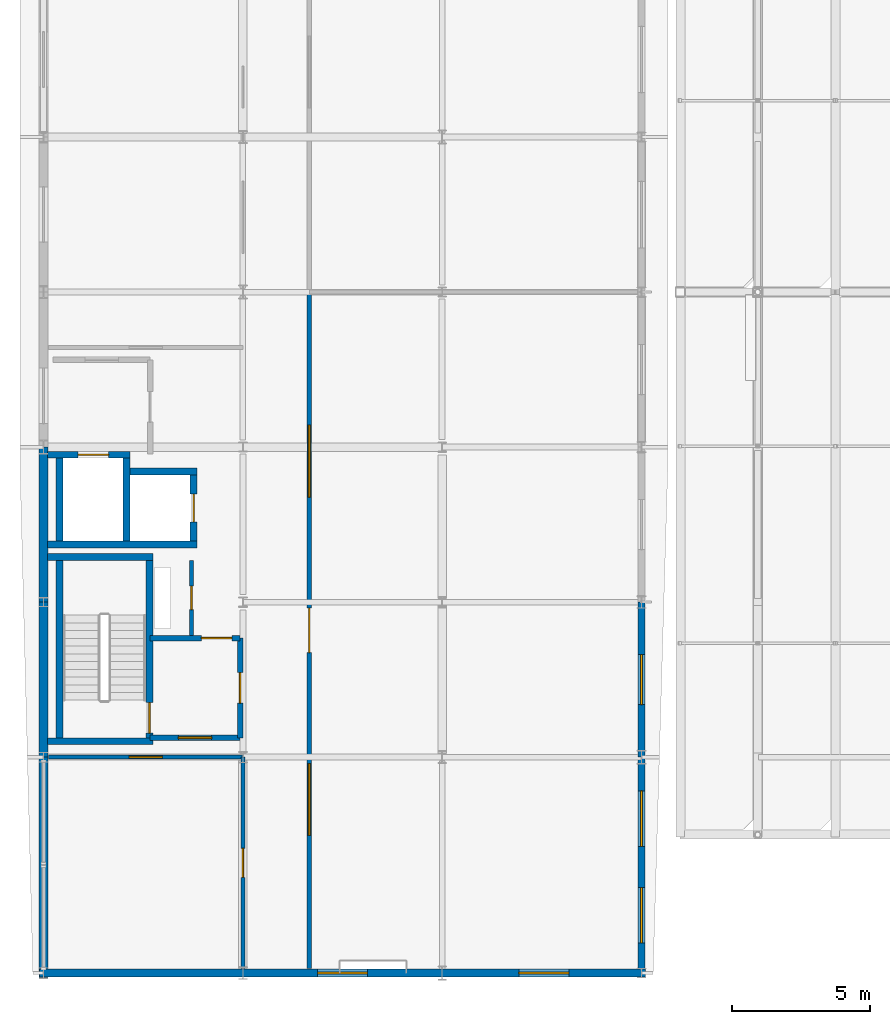
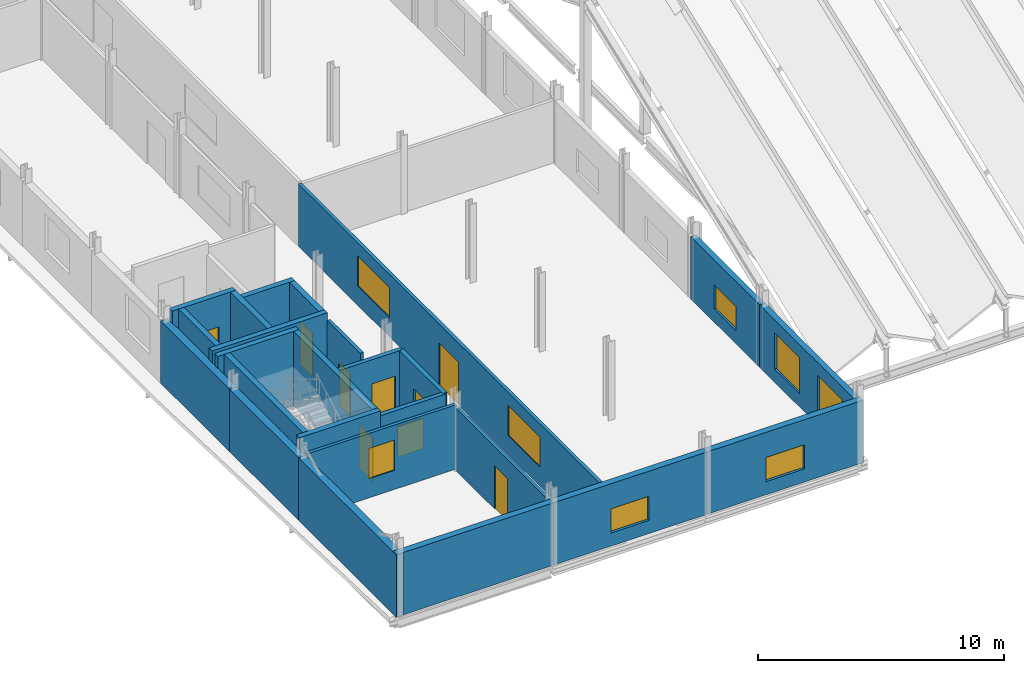
# One storey, part 39 of 49: 25 walls, 9 windows, 8 doors, 17 openings.
"""IFC4 building model written with IfcOpenShell, lengths in metres."""

from ifc_helpers import new_model, si_unit, direction, frame, frame_2d, origin, place, context, subcontext, project, spatial, rectangle, extrude, material, layer, layer_set, type_object, element, fill, save


model = new_model("IFC4")

# Units and contexts
model_context = context("Model", 3, precision=1e-05, world=origin(), true_north=direction((0.0, 1.0)))
body_context = subcontext(model_context, "Body", "Model", "MODEL_VIEW")
ifc_project = project(units=[si_unit("LENGTHUNIT", "METRE"), si_unit("AREAUNIT", "SQUARE_METRE"), si_unit("VOLUMEUNIT", "CUBIC_METRE"), si_unit("PLANEANGLEUNIT", "RADIAN"), si_unit("MASSUNIT", "GRAM", prefix="KILO")], contexts=[model_context])

# Site, building, storey
site_placement = place(None, origin())
site = spatial("IfcSite", under=ifc_project, at=site_placement, CompositionType="ELEMENT")
building_placement = place(site_placement, origin())
building = spatial("IfcBuilding", under=site, at=building_placement, Name="Vinh Khe Railworks Police Headquarters", CompositionType="ELEMENT")
storey_placement = place(building_placement, frame((0.0, 0.0, 17.10009765625)))
storey = spatial("IfcBuildingStorey", under=building, at=storey_placement, Name="L04", CompositionType="ELEMENT", Elevation=17.10009765625)

# Walls
ifc_material_1 = material(Name="Concrete C40/50 (B40)", Category="concrete")
ifc_layer_1 = layer(ifc_material_1, 0.25)
ifc_layer_set_1 = layer_set([ifc_layer_1], Name="Concrete C40/50 (B40)")
wall_type_1 = type_object("IfcWallType", Name="Core Shear Wall 250", PredefinedType="SHEAR", material=ifc_layer_set_1)
for number, where, z_axis, x_axis, name in (
    (1, (0.75, 25.77490234375, 0.0), (0.0, 0.0, 1.0), (1.0, 0.0, 0.0), "Core C1 STAIR-S Shear Wall (L04)"),
    (2, (0.75, 32.425048828125, 0.0), (0.0, 0.0, 1.0), (1.0, 0.0, 0.0), "Core C1 STAIR-N Shear Wall (L04)"),
):
    element("IfcWall", number, at=place(storey_placement, frame(where, z_axis=z_axis, x_axis=x_axis)), inside=storey, type_object=wall_type_1, Name=name, PredefinedType="SHEAR", context=body_context, shape_type="SweptSolid", body=[
        extrude(rectangle(XDim=3.800048828125, YDim=0.25, at=frame_2d((1.89990234375, 0.0))), origin(), (0.0, 0.0, 1.0), 3.699951171875),
    ])
wall_1_placement = place(storey_placement, frame((1.175048828125, 25.89990234375, 0.0), z_axis=(0.0, 0.0, 1.0), x_axis=(0.0, 1.0, 0.0)))
element("IfcWall", 3, at=wall_1_placement, inside=storey, type_object=wall_type_1, Name="Core C1 STAIR-W Shear Wall (L04)", PredefinedType="SHEAR", context=body_context, shape_type="SweptSolid", body=[
    extrude(rectangle(XDim=6.400146484375, YDim=0.25, at=frame_2d((3.2001953125, 0.0))), origin(), (0.0, 0.0, 1.0), 3.699951171875),
])

# Wall, opening, door
wall_2_placement = place(storey_placement, frame((4.425048828125, 25.89990234375, 0.0), z_axis=(0.0, 0.0, 1.0), x_axis=(0.0, 1.0, 0.0)))
wall_2 = element("IfcWall", 4, at=wall_2_placement, inside=storey, type_object=wall_type_1, Name="Core C1 STAIR-E Shear Wall (L04)", PredefinedType="SHEAR", context=body_context, shape_type="SweptSolid", body=[
    extrude(rectangle(XDim=6.400146484375, YDim=0.25, at=frame_2d((3.2001953125, 0.0))), origin(), (0.0, 0.0, 1.0), 3.699951171875),
])
opening_1_placement = place(wall_2_placement, frame((0.169921875, 0.0, 0.0)))
opening_1 = element("IfcOpeningElement", 5, at=opening_1_placement, cuts=wall_2, Name="Opening FD-01", PredefinedType="OPENING", context=body_context, shape_type="SweptSolid", body=[
    extrude(rectangle(XDim=1.10009765625, YDim=2.14990234375, at=frame_2d((0.550048828125, 1.074951171875))), frame((0.0, 0.139892578125, 0.0), z_axis=(0.0, -1.0, 0.0), x_axis=(1.0, 0.0, 0.0)), (0.0, 0.0, 1.0), 0.27978515625),
])
ifc_material_2 = material(Name="Painted galvanised steel", Category="steel")
door_type_1 = type_object("IfcDoorType", Name="FD-1100x2150", OperationType="NOTDEFINED", PredefinedType="DOOR", material=ifc_material_2)
door_1_placement = place(opening_1_placement, frame((1.10009765625, 0.0, 0.0), z_axis=(0.0, 0.0, 1.0), x_axis=(-1.0, 0.0, 0.0)))
door_1 = element("IfcDoor", 6, at=door_1_placement, inside=storey, type_object=door_type_1, Name="Escape Stair ST-01 Fire Door L04", OperationType="SINGLE_SWING_LEFT", OverallHeight=2.14990234375, OverallWidth=1.10009765625, PredefinedType="DOOR", context=body_context, shape_type="SweptSolid", body=[
    extrude(rectangle(XDim=1.10009765625, YDim=2.14990234375, at=frame_2d((0.550048828125, 1.074951171875))), frame((0.0, 0.02490234375, 0.0), z_axis=(0.0, -1.0, 0.0), x_axis=(1.0, 0.0, 0.0)), (0.0, 0.0, 1.0), 0.050048828125),
])
fill(opening_1, door_1)

# Wall
wall_3_placement = place(storey_placement, frame((0.75, 32.875, 0.0), z_axis=(0.0, 0.0, 1.0), x_axis=(1.0, 0.0, 0.0)))
element("IfcWall", 7, at=wall_3_placement, inside=storey, type_object=wall_type_1, Name="Core C1 FL-S Lift Shaft Wall (L04)", PredefinedType="SHEAR", context=body_context, shape_type="SweptSolid", body=[
    extrude(rectangle(XDim=5.39990234375, YDim=0.25, at=frame_2d((2.699951171875, 0.0))), origin(), (0.0, 0.0, 1.0), 3.699951171875),
])

# Wall, opening, door
wall_4_placement = place(storey_placement, frame((0.75, 36.125, 0.0), z_axis=(0.0, 0.0, 1.0), x_axis=(1.0, 0.0, 0.0)))
wall_4 = element("IfcWall", 8, at=wall_4_placement, inside=storey, type_object=wall_type_1, Name="Core C1 FL-N Lift Shaft Wall (L04)", PredefinedType="SHEAR", context=body_context, shape_type="SweptSolid", body=[
    extrude(rectangle(XDim=2.97509765625, YDim=0.25, at=frame_2d((1.487548828125, 0.0))), origin(), (0.0, 0.0, 1.0), 3.699951171875),
])
opening_2_placement = place(wall_4_placement, frame((1.10009765625, 0.0, 0.0)))
opening_2 = element("IfcOpeningElement", 9, at=opening_2_placement, cuts=wall_4, Name="Opening LD-01", PredefinedType="OPENING", context=body_context, shape_type="SweptSolid", body=[
    extrude(rectangle(XDim=1.10009765625, YDim=2.14990234375, at=frame_2d((0.550048828125, 1.074951171875))), frame((0.0, 0.139892578125, 0.0), z_axis=(0.0, -1.0, 0.0), x_axis=(1.0, 0.0, 0.0)), (0.0, 0.0, 1.0), 0.27978515625),
])
door_type_2 = type_object("IfcDoorType", Name="LD-FF-1100", OperationType="SLIDING_TO_LEFT", PredefinedType="DOOR", material=ifc_material_2)
door_2_placement = place(opening_2_placement, origin())
door_2 = element("IfcDoor", 10, at=door_2_placement, inside=storey, type_object=door_type_2, Name="Firefighting Lift Landing Door FL-01 L04", OperationType="SLIDING_TO_LEFT", OverallHeight=2.14990234375, OverallWidth=1.10009765625, PredefinedType="DOOR", context=body_context, shape_type="SweptSolid", body=[
    extrude(rectangle(XDim=1.10009765625, YDim=2.14990234375, at=frame_2d((0.550048828125, 1.074951171875))), frame((0.0, 0.02490234375, 0.0), z_axis=(0.0, -1.0, 0.0), x_axis=(1.0, 0.0, 0.0)), (0.0, 0.0, 1.0), 0.050048828125),
])
fill(opening_2, door_2)

# Walls
wall_5_placement = place(storey_placement, frame((3.72509765625, 35.52490234375, 0.0), z_axis=(0.0, 0.0, 1.0), x_axis=(1.0, 0.0, 0.0)))
element("IfcWall", 11, at=wall_5_placement, inside=storey, type_object=wall_type_1, Name="Core C1 PL-N Lift Shaft Wall (L04)", PredefinedType="SHEAR", context=body_context, shape_type="SweptSolid", body=[
    extrude(rectangle(XDim=2.4248046875, YDim=0.25, at=frame_2d((1.21240234375, 0.0))), origin(), (0.0, 0.0, 1.0), 3.699951171875),
])
for number, where, z_axis, x_axis, name in (
    (12, (1.175048828125, 33.0, 0.0), (0.0, 0.0, 1.0), (0.0, 1.0, 0.0), "Core C1 FL-W Lift Shaft Wall (L04)"),
    (13, (3.60009765625, 33.0, 0.0), (0.0, 0.0, 1.0), (0.0, 1.0, 0.0), "Core C1 LIFT-DIV Lift Shaft Wall (L04)"),
):
    element("IfcWall", number, at=place(storey_placement, frame(where, z_axis=z_axis, x_axis=x_axis)), inside=storey, type_object=wall_type_1, Name=name, PredefinedType="SHEAR", context=body_context, shape_type="SweptSolid", body=[
        extrude(rectangle(XDim=3.0, YDim=0.25, at=frame_2d((1.5, 0.0))), origin(), (0.0, 0.0, 1.0), 3.699951171875),
    ])

# Wall, opening, door
wall_6_placement = place(storey_placement, frame((6.02490234375, 33.0, 0.0), z_axis=(0.0, 0.0, 1.0), x_axis=(0.0, 1.0, 0.0)))
wall_6 = element("IfcWall", 14, at=wall_6_placement, inside=storey, type_object=wall_type_1, Name="Core C1 PL-E Lift Shaft Wall (L04)", PredefinedType="SHEAR", context=body_context, shape_type="SweptSolid", body=[
    extrude(rectangle(XDim=2.39990234375, YDim=0.25, at=frame_2d((1.199951171875, 0.0))), origin(), (0.0, 0.0, 1.0), 3.699951171875),
])
opening_3_placement = place(wall_6_placement, frame((0.699951171875, 0.0, 0.0)))
opening_3 = element("IfcOpeningElement", 15, at=opening_3_placement, cuts=wall_6, Name="Opening LD-02", PredefinedType="OPENING", context=body_context, shape_type="SweptSolid", body=[
    extrude(rectangle(XDim=1.0, YDim=2.14990234375, at=frame_2d((0.5, 1.074951171875))), frame((0.0, 0.139892578125, 0.0), z_axis=(0.0, -1.0, 0.0), x_axis=(1.0, 0.0, 0.0)), (0.0, 0.0, 1.0), 0.27978515625),
])
door_type_3 = type_object("IfcDoorType", Name="LD-PAX-1000", OperationType="SLIDING_TO_RIGHT", PredefinedType="DOOR", material=ifc_material_2)
door_3_placement = place(opening_3_placement, frame((1.0, 0.0, 0.0), z_axis=(0.0, 0.0, 1.0), x_axis=(-1.0, 0.0, 0.0)))
door_3 = element("IfcDoor", 16, at=door_3_placement, inside=storey, type_object=door_type_3, Name="Passenger Lift Landing Door PL-01 L04", OperationType="SLIDING_TO_RIGHT", OverallHeight=2.14990234375, OverallWidth=1.0, PredefinedType="DOOR", context=body_context, shape_type="SweptSolid", body=[
    extrude(rectangle(XDim=1.0, YDim=2.14990234375, at=frame_2d((0.5, 1.074951171875))), frame((0.0, 0.02490234375, 0.0), z_axis=(0.0, -1.0, 0.0), x_axis=(1.0, 0.0, 0.0)), (0.0, 0.0, 1.0), 0.050048828125),
])
fill(opening_3, door_3)

# Wall, openings, windows
ifc_material_3 = material(Name="Clay brickwork", Category="masonry")
ifc_layer_2 = layer(ifc_material_3, 0.260009765625)
ifc_layer_set_2 = layer_set([ifc_layer_2], Name="Clay brickwork")
wall_type_2 = type_object("IfcWallType", Name="EW-BRK-260", PredefinedType="SOLIDWALL", material=ifc_layer_set_2)
wall_7_placement = place(storey_placement, frame((22.199951171875, 17.27001953125, 0.0), z_axis=(0.0, 0.0, 1.0), x_axis=(0.0, 1.0, 0.0)))
wall_7 = element("IfcWall", 17, at=wall_7_placement, inside=storey, type_object=wall_type_2, Name="Exterior Brick Wall EW-L04-V5E-01", PredefinedType="SOLIDWALL", context=body_context, shape_type="SweptSolid", body=[
    extrude(rectangle(XDim=7.929931640625, YDim=0.260009765625, at=frame_2d((3.96484375, 0.0))), origin(), (0.0, 0.0, 1.0), 3.094970703125),
])
opening_4_placement = place(wall_7_placement, frame((1.220458984375, 0.0, 0.64990234375)))
opening_4 = element("IfcOpeningElement", 18, at=opening_4_placement, cuts=wall_7, Name="Opening WN-04", PredefinedType="OPENING", context=body_context, shape_type="SweptSolid", body=[
    extrude(rectangle(XDim=2.0, YDim=1.800048828125, at=frame_2d((1.0, 0.89990234375))), frame((0.0, 0.14501953125, 0.0), z_axis=(0.0, -1.0, 0.0), x_axis=(1.0, 0.0, 0.0)), (0.0, 0.0, 1.0), 0.289794921875),
])
opening_5_placement = place(wall_7_placement, frame((4.709716796875, 0.0, 0.64990234375)))
opening_5 = element("IfcOpeningElement", 19, at=opening_5_placement, cuts=wall_7, Name="Opening WN-04", PredefinedType="OPENING", context=body_context, shape_type="SweptSolid", body=[
    extrude(rectangle(XDim=2.0, YDim=1.800048828125, at=frame_2d((1.0, 0.89990234375))), frame((0.0, 0.14501953125, 0.0), z_axis=(0.0, -1.0, 0.0), x_axis=(1.0, 0.0, 0.0)), (0.0, 0.0, 1.0), 0.289794921875),
])
ifc_material_4 = material(Name="Double-glazed solar-control glass in dark steel frame", Category="steel")
window_type_1 = type_object("IfcWindowType", Name="WIN-WN-04", PartitioningType="DOUBLE_PANEL_VERTICAL", PredefinedType="WINDOW", material=ifc_material_4)
window_1_placement = place(opening_4_placement, origin())
window_1 = element("IfcWindow", 20, at=window_1_placement, inside=storey, type_object=window_type_1, Name="Casement Window WN-04", OverallHeight=1.800048828125, OverallWidth=2.0, PartitioningType="SINGLE_PANEL", PredefinedType="WINDOW", context=body_context, shape_type="SweptSolid", body=[
    extrude(rectangle(XDim=2.0, YDim=1.800048828125, at=frame_2d((1.0, 0.89990234375))), frame((0.0, 0.030029296875, 0.0), z_axis=(0.0, -1.0, 0.0), x_axis=(1.0, 0.0, 0.0)), (0.0, 0.0, 1.0), 0.06005859375),
])
fill(opening_4, window_1)
window_2_placement = place(opening_5_placement, origin())
window_2 = element("IfcWindow", 21, at=window_2_placement, inside=storey, type_object=window_type_1, Name="Casement Window WN-04", OverallHeight=1.800048828125, OverallWidth=2.0, PartitioningType="SINGLE_PANEL", PredefinedType="WINDOW", context=body_context, shape_type="SweptSolid", body=[
    extrude(rectangle(XDim=2.0, YDim=1.800048828125, at=frame_2d((1.0, 0.89990234375))), frame((0.0, 0.030029296875, 0.0), z_axis=(0.0, -1.0, 0.0), x_axis=(1.0, 0.0, 0.0)), (0.0, 0.0, 1.0), 0.06005859375),
])
fill(opening_5, window_2)

# Wall, opening, window
wall_8_placement = place(storey_placement, frame((22.199951171875, 25.199951171875, 0.0), z_axis=(0.0, 0.0, 1.0), x_axis=(0.0, 1.0, 0.0)))
wall_8 = element("IfcWall", 22, at=wall_8_placement, inside=storey, type_object=wall_type_2, Name="Exterior Brick Wall EW-L04-V5E-02", PredefinedType="SOLIDWALL", context=body_context, shape_type="SweptSolid", body=[
    extrude(rectangle(XDim=5.60009765625, YDim=0.260009765625, at=frame_2d((2.800048828125, 0.0))), origin(), (0.0, 0.0, 1.0), 3.094970703125),
])
opening_6_placement = place(wall_8_placement, frame((1.89990234375, 0.0, 0.64990234375)))
opening_6 = element("IfcOpeningElement", 23, at=opening_6_placement, cuts=wall_8, Name="Opening WN-08", PredefinedType="OPENING", context=body_context, shape_type="SweptSolid", body=[
    extrude(rectangle(XDim=1.800048828125, YDim=1.199951171875, at=frame_2d((0.89990234375, 0.60009765625))), frame((0.0, 0.14501953125, 0.0), z_axis=(0.0, -1.0, 0.0), x_axis=(1.0, 0.0, 0.0)), (0.0, 0.0, 1.0), 0.289794921875),
])
window_type_2 = type_object("IfcWindowType", Name="WIN-WN-08", PartitioningType="SINGLE_PANEL", PredefinedType="WINDOW", material=ifc_material_4)
window_3_placement = place(opening_6_placement, origin())
window_3 = element("IfcWindow", 24, at=window_3_placement, inside=storey, type_object=window_type_2, Name="Casement Window WN-08", OverallHeight=1.199951171875, OverallWidth=1.800048828125, PartitioningType="SINGLE_PANEL", PredefinedType="WINDOW", context=body_context, shape_type="SweptSolid", body=[
    extrude(rectangle(XDim=1.800048828125, YDim=1.199951171875, at=frame_2d((0.89990234375, 0.60009765625))), frame((0.0, 0.030029296875, 0.0), z_axis=(0.0, -1.0, 0.0), x_axis=(1.0, 0.0, 0.0)), (0.0, 0.0, 1.0), 0.06005859375),
])
fill(opening_6, window_3)

# Wall
ifc_layer_3 = layer(ifc_material_3, 0.300048828125)
ifc_layer_set_3 = layer_set([ifc_layer_3], Name="Clay brickwork")
wall_type_3 = type_object("IfcWallType", Name="EW-BRK-300", PredefinedType="SOLIDWALL", material=ifc_layer_set_3)
wall_9_placement = place(storey_placement, frame((0.449951171875, 17.39990234375, 0.0), z_axis=(0.0, 0.0, 1.0), x_axis=(1.0, 0.0, 0.0)))
element("IfcWall", 25, at=wall_9_placement, inside=storey, type_object=wall_type_3, Name="Exterior Brick Wall EW-L04-V5S-01", PredefinedType="SOLIDWALL", context=body_context, shape_type="SweptSolid", body=[
    extrude(rectangle(XDim=7.35009765625, YDim=0.300048828125, at=frame_2d((3.675048828125, 0.0))), origin(), (0.0, 0.0, 1.0), 3.094970703125),
])

# Wall, opening, window
wall_10_placement = place(storey_placement, frame((7.800048828125, 17.39990234375, 0.0), z_axis=(0.0, 0.0, 1.0), x_axis=(1.0, 0.0, 0.0)))
wall_10 = element("IfcWall", 26, at=wall_10_placement, inside=storey, type_object=wall_type_3, Name="Exterior Brick Wall EW-L04-V5S-02", PredefinedType="SOLIDWALL", context=body_context, shape_type="SweptSolid", body=[
    extrude(rectangle(XDim=7.199951171875, YDim=0.300048828125, at=frame_2d((3.60009765625, 0.0))), origin(), (0.0, 0.0, 1.0), 3.094970703125),
])
opening_7_placement = place(wall_10_placement, frame((2.699951171875, 0.0, 0.64990234375)))
opening_7 = element("IfcOpeningElement", 27, at=opening_7_placement, cuts=wall_10, Name="Opening WN-08", PredefinedType="OPENING", context=body_context, shape_type="SweptSolid", body=[
    extrude(rectangle(XDim=1.800048828125, YDim=1.199951171875, at=frame_2d((0.89990234375, 0.60009765625))), frame((0.0, 0.1650390625, 0.0), z_axis=(0.0, -1.0, 0.0), x_axis=(1.0, 0.0, 0.0)), (0.0, 0.0, 1.0), 0.329833984375),
])
window_4_placement = place(opening_7_placement, origin())
window_4 = element("IfcWindow", 28, at=window_4_placement, inside=storey, type_object=window_type_2, Name="Casement Window WN-08", OverallHeight=1.199951171875, OverallWidth=1.800048828125, PartitioningType="SINGLE_PANEL", PredefinedType="WINDOW", context=body_context, shape_type="SweptSolid", body=[
    extrude(rectangle(XDim=1.800048828125, YDim=1.199951171875, at=frame_2d((0.89990234375, 0.60009765625))), frame((0.0, 0.030029296875, 0.0), z_axis=(0.0, -1.0, 0.0), x_axis=(1.0, 0.0, 0.0)), (0.0, 0.0, 1.0), 0.06005859375),
])
fill(opening_7, window_4)

wall_11_placement = place(storey_placement, frame((15.0, 17.39990234375, 0.0), z_axis=(0.0, 0.0, 1.0), x_axis=(1.0, 0.0, 0.0)))
wall_11 = element("IfcWall", 29, at=wall_11_placement, inside=storey, type_object=wall_type_3, Name="Exterior Brick Wall EW-L04-V5S-03", PredefinedType="SOLIDWALL", context=body_context, shape_type="SweptSolid", body=[
    extrude(rectangle(XDim=7.35009765625, YDim=0.300048828125, at=frame_2d((3.675048828125, 0.0))), origin(), (0.0, 0.0, 1.0), 3.094970703125),
])
opening_8_placement = place(wall_11_placement, frame((2.77490234375, 0.0, 0.64990234375)))
opening_8 = element("IfcOpeningElement", 30, at=opening_8_placement, cuts=wall_11, Name="Opening WN-08", PredefinedType="OPENING", context=body_context, shape_type="SweptSolid", body=[
    extrude(rectangle(XDim=1.800048828125, YDim=1.199951171875, at=frame_2d((0.89990234375, 0.60009765625))), frame((0.0, 0.1650390625, 0.0), z_axis=(0.0, -1.0, 0.0), x_axis=(1.0, 0.0, 0.0)), (0.0, 0.0, 1.0), 0.329833984375),
])
window_5_placement = place(opening_8_placement, origin())
window_5 = element("IfcWindow", 31, at=window_5_placement, inside=storey, type_object=window_type_2, Name="Casement Window WN-08", OverallHeight=1.199951171875, OverallWidth=1.800048828125, PartitioningType="SINGLE_PANEL", PredefinedType="WINDOW", context=body_context, shape_type="SweptSolid", body=[
    extrude(rectangle(XDim=1.800048828125, YDim=1.199951171875, at=frame_2d((0.89990234375, 0.60009765625))), frame((0.0, 0.030029296875, 0.0), z_axis=(0.0, -1.0, 0.0), x_axis=(1.0, 0.0, 0.0)), (0.0, 0.0, 1.0), 0.06005859375),
])
fill(opening_8, window_5)

# Walls
ifc_layer_4 = layer(ifc_material_3, 0.340087890625)
ifc_layer_set_4 = layer_set([ifc_layer_4], Name="Clay brickwork")
wall_type_4 = type_object("IfcWallType", Name="EW-BRK-340", PredefinedType="SOLIDWALL", material=ifc_layer_set_4)
wall_12_placement = place(storey_placement, frame((0.60009765625, 17.22998046875, 0.0), z_axis=(0.0, 0.0, 1.0), x_axis=(0.0, 1.0, 0.0)))
element("IfcWall", 32, at=wall_12_placement, inside=storey, type_object=wall_type_4, Name="Exterior Brick Wall EW-L04-V5W-01", PredefinedType="SOLIDWALL", context=body_context, shape_type="SweptSolid", body=[
    extrude(rectangle(XDim=7.969970703125, YDim=0.340087890625, at=frame_2d((3.98486328125, 0.0))), origin(), (0.0, 0.0, 1.0), 3.094970703125),
])
wall_13_placement = place(storey_placement, frame((0.60009765625, 25.199951171875, 0.0), z_axis=(0.0, 0.0, 1.0), x_axis=(0.0, 1.0, 0.0)))
element("IfcWall", 33, at=wall_13_placement, inside=storey, type_object=wall_type_4, Name="Exterior Brick Wall EW-L04-V5W-02", PredefinedType="SOLIDWALL", context=body_context, shape_type="SweptSolid", body=[
    extrude(rectangle(XDim=5.60009765625, YDim=0.340087890625, at=frame_2d((2.800048828125, 0.0))), origin(), (0.0, 0.0, 1.0), 3.094970703125),
])
wall_14_placement = place(storey_placement, frame((0.60009765625, 30.800048828125, 0.0), z_axis=(0.0, 0.0, 1.0), x_axis=(0.0, 1.0, 0.0)))
element("IfcWall", 34, at=wall_14_placement, inside=storey, type_object=wall_type_4, Name="Exterior Brick Wall EW-L04-V5W-03", PredefinedType="SOLIDWALL", context=body_context, shape_type="SweptSolid", body=[
    extrude(rectangle(XDim=5.599853515625, YDim=0.340087890625, at=frame_2d((2.7998046875, 0.0))), origin(), (0.0, 0.0, 1.0), 3.094970703125),
])

# Wall, opening, window
ifc_material_5 = material(Name="Autoclaved aerated concrete blockwork", Category="masonry")
ifc_layer_5 = layer(ifc_material_5, 0.199951171875)
ifc_layer_set_5 = layer_set([ifc_layer_5], Name="Autoclaved aerated concrete blockwork")
wall_type_5 = type_object("IfcWallType", Name="IW-BLK-200", PredefinedType="PARTITIONING", material=ifc_layer_set_5)
wall_15_placement = place(storey_placement, frame((4.449951171875, 25.89990234375, 0.0), z_axis=(0.0, 0.0, 1.0), x_axis=(1.0, 0.0, 0.0)))
wall_15 = element("IfcWall", 35, at=wall_15_placement, inside=storey, type_object=wall_type_5, Name="Interior Partition W-STL-C1-S-L04", PredefinedType="PARTITIONING", context=body_context, shape_type="SweptSolid", body=[
    extrude(rectangle(XDim=3.25, YDim=0.199951171875, at=frame_2d((1.625, 0.0))), origin(), (0.0, 0.0, 1.0), 3.344970703125),
])
opening_9_placement = place(wall_15_placement, frame((1.02490234375, 0.0, 0.949951171875)))
opening_9 = element("IfcOpeningElement", 36, at=opening_9_placement, cuts=wall_15, Name="Opening WN-10", PredefinedType="OPENING", context=body_context, shape_type="SweptSolid", body=[
    extrude(rectangle(XDim=1.199951171875, YDim=1.5, at=frame_2d((0.60009765625, 0.75))), frame((0.0, 0.11474609375, 0.0), z_axis=(0.0, -1.0, 0.0), x_axis=(1.0, 0.0, 0.0)), (0.0, 0.0, 1.0), 0.229736328125),
])
window_type_3 = type_object("IfcWindowType", Name="WIN-WN-10", PartitioningType="SINGLE_PANEL", PredefinedType="WINDOW", material=ifc_material_4)
window_6_placement = place(opening_9_placement, origin())
window_6 = element("IfcWindow", 37, at=window_6_placement, inside=storey, type_object=window_type_3, Name="Interior Acoustic Vision Window WN-10", OverallHeight=1.5, OverallWidth=1.199951171875, PartitioningType="SINGLE_PANEL", PredefinedType="WINDOW", context=body_context, shape_type="SweptSolid", body=[
    extrude(rectangle(XDim=1.199951171875, YDim=1.5, at=frame_2d((0.60009765625, 0.75))), frame((0.0, 0.030029296875, 0.0), z_axis=(0.0, -1.0, 0.0), x_axis=(1.0, 0.0, 0.0)), (0.0, 0.0, 1.0), 0.06005859375),
])
fill(opening_9, window_6)

# Wall, opening, door
wall_16_placement = place(storey_placement, frame((4.449951171875, 29.5, 0.0), z_axis=(0.0, 0.0, 1.0), x_axis=(1.0, 0.0, 0.0)))
wall_16 = element("IfcWall", 38, at=wall_16_placement, inside=storey, type_object=wall_type_5, Name="Interior Partition W-STL-C1-N-L04", PredefinedType="PARTITIONING", context=body_context, shape_type="SweptSolid", body=[
    extrude(rectangle(XDim=3.25, YDim=0.199951171875, at=frame_2d((1.625, 0.0))), origin(), (0.0, 0.0, 1.0), 3.344970703125),
])
opening_10_placement = place(wall_16_placement, frame((1.85009765625, 0.0, 0.0)))
opening_10 = element("IfcOpeningElement", 39, at=opening_10_placement, cuts=wall_16, Name="Opening FD-01", PredefinedType="OPENING", context=body_context, shape_type="SweptSolid", body=[
    extrude(rectangle(XDim=1.10009765625, YDim=2.14990234375, at=frame_2d((0.550048828125, 1.074951171875))), frame((0.0, 0.11474609375, 0.0), z_axis=(0.0, -1.0, 0.0), x_axis=(1.0, 0.0, 0.0)), (0.0, 0.0, 1.0), 0.229736328125),
])
door_4_placement = place(opening_10_placement, origin())
door_4 = element("IfcDoor", 40, at=door_4_placement, inside=storey, type_object=door_type_1, Name="Lift Lobby Stair Fire Door", OperationType="SINGLE_SWING_LEFT", OverallHeight=2.14990234375, OverallWidth=1.10009765625, PredefinedType="DOOR", context=body_context, shape_type="SweptSolid", body=[
    extrude(rectangle(XDim=1.10009765625, YDim=2.14990234375, at=frame_2d((0.550048828125, 1.074951171875))), frame((0.0, 0.02490234375, 0.0), z_axis=(0.0, -1.0, 0.0), x_axis=(1.0, 0.0, 0.0)), (0.0, 0.0, 1.0), 0.050048828125),
])
fill(opening_10, door_4)

wall_17_placement = place(storey_placement, frame((7.699951171875, 25.89990234375, 0.0), z_axis=(0.0, 0.0, 1.0), x_axis=(0.0, 1.0, 0.0)))
wall_17 = element("IfcWall", 41, at=wall_17_placement, inside=storey, type_object=wall_type_5, Name="Interior Partition W-STL-C1-E-L04", PredefinedType="PARTITIONING", context=body_context, shape_type="SweptSolid", body=[
    extrude(rectangle(XDim=3.60009765625, YDim=0.199951171875, at=frame_2d((1.800048828125, 0.0))), origin(), (0.0, 0.0, 1.0), 3.344970703125),
])
opening_11_placement = place(wall_17_placement, frame((1.25, 0.0, 0.0)))
opening_11 = element("IfcOpeningElement", 42, at=opening_11_placement, cuts=wall_17, Name="Opening FD-01", PredefinedType="OPENING", context=body_context, shape_type="SweptSolid", body=[
    extrude(rectangle(XDim=1.10009765625, YDim=2.14990234375, at=frame_2d((0.550048828125, 1.074951171875))), frame((0.0, 0.11474609375, 0.0), z_axis=(0.0, -1.0, 0.0), x_axis=(1.0, 0.0, 0.0)), (0.0, 0.0, 1.0), 0.229736328125),
])
door_5_placement = place(opening_11_placement, origin())
door_5 = element("IfcDoor", 43, at=door_5_placement, inside=storey, type_object=door_type_1, Name="Stair Vestibule Fire Door", OperationType="SINGLE_SWING_RIGHT", OverallHeight=2.14990234375, OverallWidth=1.10009765625, PredefinedType="DOOR", context=body_context, shape_type="SweptSolid", body=[
    extrude(rectangle(XDim=1.10009765625, YDim=2.14990234375, at=frame_2d((0.550048828125, 1.074951171875))), frame((0.0, 0.02490234375, 0.0), z_axis=(0.0, -1.0, 0.0), x_axis=(1.0, 0.0, 0.0)), (0.0, 0.0, 1.0), 0.050048828125),
])
fill(opening_11, door_5)

# Wall, opening, window
ifc_material_6 = material(Name="Gypsum plasterboard on steel stud", Category="steel")
ifc_layer_6 = layer(ifc_material_6, 0.1201171875)
ifc_layer_set_6 = layer_set([ifc_layer_6], Name="Gypsum plasterboard on steel stud")
wall_type_6 = type_object("IfcWallType", Name="IW-PART-120", PredefinedType="PARTITIONING", material=ifc_layer_set_6)
wall_18_placement = place(storey_placement, frame((0.780029296875, 25.199951171875, 0.0), z_axis=(0.0, 0.0, 1.0), x_axis=(1.0, 0.0, 0.0)))
wall_18 = element("IfcWall", 44, at=wall_18_placement, inside=storey, type_object=wall_type_6, Name="Interior Partition W-L04-V5-ECON1-ENDN", PredefinedType="PARTITIONING", context=body_context, shape_type="SweptSolid", body=[
    extrude(rectangle(XDim=7.02001953125, YDim=0.14990234375, at=frame_2d((3.510009765625, 0.0))), origin(), (0.0, 0.0, 1.0), 3.19482421875),
])
opening_12_placement = place(wall_18_placement, frame((2.909912109375, 0.0, 0.949951171875)))
opening_12 = element("IfcOpeningElement", 45, at=opening_12_placement, cuts=wall_18, Name="Opening WN-10", PredefinedType="OPENING", context=body_context, shape_type="SweptSolid", body=[
    extrude(rectangle(XDim=1.199951171875, YDim=1.5, at=frame_2d((0.60009765625, 0.75))), frame((0.0, 0.08984375, 0.0), z_axis=(0.0, -1.0, 0.0), x_axis=(1.0, 0.0, 0.0)), (0.0, 0.0, 1.0), 0.1796875),
])
window_7_placement = place(opening_12_placement, origin())
window_7 = element("IfcWindow", 46, at=window_7_placement, inside=storey, type_object=window_type_3, Name="Interior Acoustic Vision Window WN-10", OverallHeight=1.5, OverallWidth=1.199951171875, PartitioningType="SINGLE_PANEL", PredefinedType="WINDOW", context=body_context, shape_type="SweptSolid", body=[
    extrude(rectangle(XDim=1.199951171875, YDim=1.5, at=frame_2d((0.60009765625, 0.75))), frame((0.0, 0.030029296875, 0.0), z_axis=(0.0, -1.0, 0.0), x_axis=(1.0, 0.0, 0.0)), (0.0, 0.0, 1.0), 0.06005859375),
])
fill(opening_12, window_7)

# Wall, opening, door
ifc_material_7 = material(Name="Gypsum plasterboard on acoustic steel stud", Category="steel")
ifc_layer_7 = layer(ifc_material_7, 0.14990234375)
ifc_layer_set_7 = layer_set([ifc_layer_7], Name="Gypsum plasterboard on acoustic steel stud")
wall_type_7 = type_object("IfcWallType", Name="IW-PART-150", PredefinedType="PARTITIONING", material=ifc_layer_set_7)
wall_19_placement = place(storey_placement, frame((5.949951171875, 29.60009765625, 0.0), z_axis=(0.0, 0.0, 1.0), x_axis=(0.0, 1.0, 0.0)))
wall_19 = element("IfcWall", 47, at=wall_19_placement, inside=storey, type_object=wall_type_7, Name="Interior Partition W-RSR-C1-E-L04", PredefinedType="PARTITIONING", context=body_context, shape_type="SweptSolid", body=[
    extrude(rectangle(XDim=2.699951171875, YDim=0.14990234375, at=frame_2d((1.35009765625, 0.0))), origin(), (0.0, 0.0, 1.0), 3.69482421875),
])
opening_13_placement = place(wall_19_placement, frame((0.925048828125, 0.0, 0.0)))
opening_13 = element("IfcOpeningElement", 48, at=opening_13_placement, cuts=wall_19, Name="Opening FD-04", PredefinedType="OPENING", context=body_context, shape_type="SweptSolid", body=[
    extrude(rectangle(XDim=0.85009765625, YDim=2.10009765625, at=frame_2d((0.425048828125, 1.050048828125))), frame((0.0, 0.08984375, 0.0), z_axis=(0.0, -1.0, 0.0), x_axis=(1.0, 0.0, 0.0)), (0.0, 0.0, 1.0), 0.1796875),
])
door_type_4 = type_object("IfcDoorType", Name="FD-850x2100", OperationType="NOTDEFINED", PredefinedType="DOOR", material=ifc_material_2)
door_6_placement = place(opening_13_placement, origin())
door_6 = element("IfcDoor", 49, at=door_6_placement, inside=storey, type_object=door_type_4, Name="Electrical Riser Access Door", OperationType="SINGLE_SWING_LEFT", OverallHeight=2.10009765625, OverallWidth=0.85009765625, PredefinedType="DOOR", context=body_context, shape_type="SweptSolid", body=[
    extrude(rectangle(XDim=0.85009765625, YDim=2.10009765625, at=frame_2d((0.425048828125, 1.050048828125))), frame((0.0, 0.02490234375, 0.0), z_axis=(0.0, -1.0, 0.0), x_axis=(1.0, 0.0, 0.0)), (0.0, 0.0, 1.0), 0.050048828125),
])
fill(opening_13, door_6)

wall_20_placement = place(storey_placement, frame((7.800048828125, 17.56005859375, 0.0), z_axis=(0.0, 0.0, 1.0), x_axis=(0.0, 1.0, 0.0)))
wall_20 = element("IfcWall", 50, at=wall_20_placement, inside=storey, type_object=wall_type_7, Name="Interior Partition W-L04-V5-ECON1-CW", PredefinedType="PARTITIONING", context=body_context, shape_type="SweptSolid", body=[
    extrude(rectangle(XDim=7.639892578125, YDim=0.14990234375, at=frame_2d((3.81982421875, 0.0))), origin(), (0.0, 0.0, 1.0), 3.094970703125),
])
opening_14_placement = place(wall_20_placement, frame((3.294921875, 0.0, 0.0)))
opening_14 = element("IfcOpeningElement", 51, at=opening_14_placement, cuts=wall_20, Name="Opening D-02", PredefinedType="OPENING", context=body_context, shape_type="SweptSolid", body=[
    extrude(rectangle(XDim=1.050048828125, YDim=2.14990234375, at=frame_2d((0.52490234375, 1.074951171875))), frame((0.0, 0.08984375, 0.0), z_axis=(0.0, -1.0, 0.0), x_axis=(1.0, 0.0, 0.0)), (0.0, 0.0, 1.0), 0.1796875),
])
ifc_material_8 = material(Name="Seasoned hardwood timber", Category="wood")
door_type_5 = type_object("IfcDoorType", Name="ID-1050x2150", OperationType="NOTDEFINED", PredefinedType="DOOR", material=ifc_material_8)
door_7_placement = place(opening_14_placement, origin())
door_7 = element("IfcDoor", 52, at=door_7_placement, inside=storey, type_object=door_type_5, Name="Economic Crime Audit Office Door", OperationType="SINGLE_SWING_RIGHT", OverallHeight=2.14990234375, OverallWidth=1.050048828125, PredefinedType="DOOR", context=body_context, shape_type="SweptSolid", body=[
    extrude(rectangle(XDim=1.050048828125, YDim=2.14990234375, at=frame_2d((0.52490234375, 1.074951171875))), frame((0.0, 0.02490234375, 0.0), z_axis=(0.0, -1.0, 0.0), x_axis=(1.0, 0.0, 0.0)), (0.0, 0.0, 1.0), 0.050048828125),
])
fill(opening_14, door_7)

# Wall, openings, door, windows
wall_21_placement = place(storey_placement, frame((10.199951171875, 17.56005859375, 0.0), z_axis=(0.0, 0.0, 1.0), x_axis=(0.0, 1.0, 0.0)))
wall_21 = element("IfcWall", 53, at=wall_21_placement, inside=storey, type_object=wall_type_7, Name="Interior Partition W-L04-V5-ECON3-CE", PredefinedType="PARTITIONING", context=body_context, shape_type="SweptSolid", body=[
    extrude(rectangle(XDim=24.43994140625, YDim=0.14990234375, at=frame_2d((12.219970703125, 0.0))), origin(), (0.0, 0.0, 1.0), 3.094970703125),
])
opening_15_placement = place(wall_21_placement, frame((11.419921875, 0.0, 0.0)))
opening_15 = element("IfcOpeningElement", 54, at=opening_15_placement, cuts=wall_21, Name="Opening D-03", PredefinedType="OPENING", context=body_context, shape_type="SweptSolid", body=[
    extrude(rectangle(XDim=1.60009765625, YDim=2.14990234375, at=frame_2d((0.800048828125, 1.074951171875))), frame((0.0, 0.08984375, 0.0), z_axis=(0.0, -1.0, 0.0), x_axis=(1.0, 0.0, 0.0)), (0.0, 0.0, 1.0), 0.1796875),
])
opening_16_placement = place(wall_21_placement, frame((4.81005859375, 0.0, 0.949951171875)))
opening_16 = element("IfcOpeningElement", 55, at=opening_16_placement, cuts=wall_21, Name="Opening WN-07", PredefinedType="OPENING", context=body_context, shape_type="SweptSolid", body=[
    extrude(rectangle(XDim=2.60009765625, YDim=1.5, at=frame_2d((1.300048828125, 0.75))), frame((0.0, 0.08984375, 0.0), z_axis=(0.0, -1.0, 0.0), x_axis=(1.0, 0.0, 0.0)), (0.0, 0.0, 1.0), 0.1796875),
])
opening_17_placement = place(wall_21_placement, frame((17.030029296875, 0.0, 0.949951171875)))
opening_17 = element("IfcOpeningElement", 56, at=opening_17_placement, cuts=wall_21, Name="Opening WN-07", PredefinedType="OPENING", context=body_context, shape_type="SweptSolid", body=[
    extrude(rectangle(XDim=2.60009765625, YDim=1.5, at=frame_2d((1.300048828125, 0.75))), frame((0.0, 0.08984375, 0.0), z_axis=(0.0, -1.0, 0.0), x_axis=(1.0, 0.0, 0.0)), (0.0, 0.0, 1.0), 0.1796875),
])
door_type_6 = type_object("IfcDoorType", Name="ID-1600x2150", OperationType="DOUBLE_DOOR_SINGLE_SWING", PredefinedType="DOOR", material=ifc_material_2)
door_8_placement = place(opening_15_placement, origin())
door_8 = element("IfcDoor", 57, at=door_8_placement, inside=storey, type_object=door_type_6, Name="Anti-Corruption Investigation Suite Door", OperationType="DOUBLE_DOOR_SINGLE_SWING", OverallHeight=2.14990234375, OverallWidth=1.60009765625, PredefinedType="DOOR", context=body_context, shape_type="SweptSolid", body=[
    extrude(rectangle(XDim=1.60009765625, YDim=2.14990234375, at=frame_2d((0.800048828125, 1.074951171875))), frame((0.0, 0.02490234375, 0.0), z_axis=(0.0, -1.0, 0.0), x_axis=(1.0, 0.0, 0.0)), (0.0, 0.0, 1.0), 0.050048828125),
])
fill(opening_15, door_8)
window_type_4 = type_object("IfcWindowType", Name="WIN-WN-07", PartitioningType="DOUBLE_PANEL_HORIZONTAL", PredefinedType="WINDOW", material=ifc_material_4)
window_8_placement = place(opening_16_placement, origin())
window_8 = element("IfcWindow", 58, at=window_8_placement, inside=storey, type_object=window_type_4, Name="Interior Acoustic Vision Window WN-07", OverallHeight=1.5, OverallWidth=2.60009765625, PartitioningType="SINGLE_PANEL", PredefinedType="WINDOW", context=body_context, shape_type="SweptSolid", body=[
    extrude(rectangle(XDim=2.60009765625, YDim=1.5, at=frame_2d((1.300048828125, 0.75))), frame((0.0, 0.030029296875, 0.0), z_axis=(0.0, -1.0, 0.0), x_axis=(1.0, 0.0, 0.0)), (0.0, 0.0, 1.0), 0.06005859375),
])
fill(opening_16, window_8)
window_9_placement = place(opening_17_placement, origin())
window_9 = element("IfcWindow", 59, at=window_9_placement, inside=storey, type_object=window_type_4, Name="Interior Acoustic Vision Window WN-07", OverallHeight=1.5, OverallWidth=2.60009765625, PartitioningType="SINGLE_PANEL", PredefinedType="WINDOW", context=body_context, shape_type="SweptSolid", body=[
    extrude(rectangle(XDim=2.60009765625, YDim=1.5, at=frame_2d((1.300048828125, 0.75))), frame((0.0, 0.030029296875, 0.0), z_axis=(0.0, -1.0, 0.0), x_axis=(1.0, 0.0, 0.0)), (0.0, 0.0, 1.0), 0.06005859375),
])
fill(opening_17, window_9)

save(model, "model.ifc")
